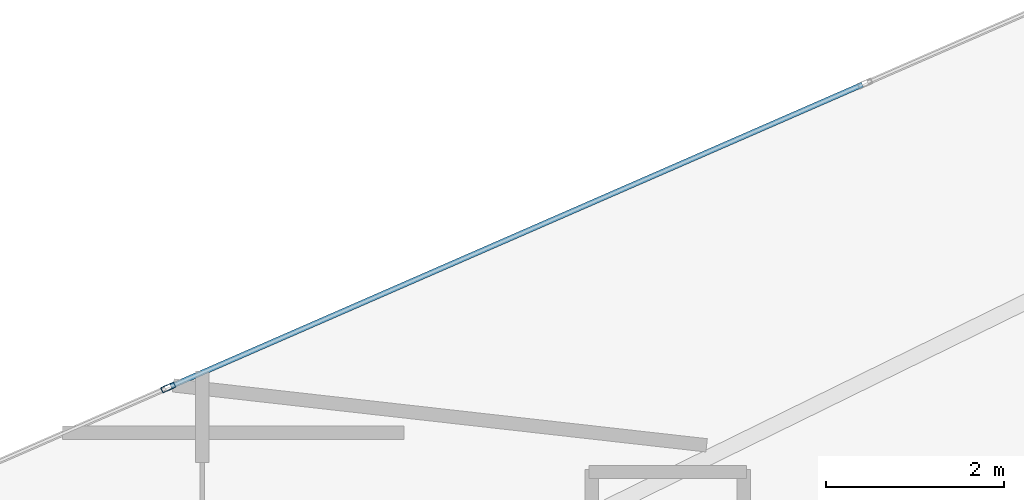
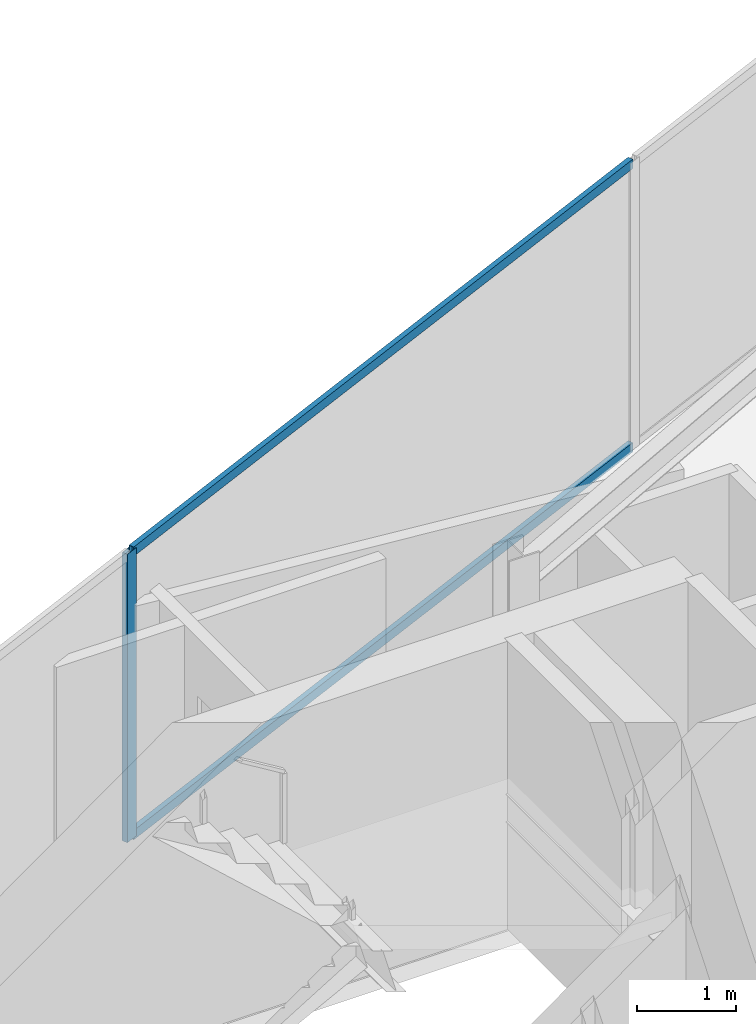
# One storey, part 10 of 15: 3 members, 1 element without a shape of its own.
"""IFC4 building model written with IfcOpenShell, lengths in metres."""

from ifc_helpers import new_model, si_unit, direction, frame, origin, origin_2d, place, context, subcontext, project, spatial, hollow_rectangle, extrude, material, layer, layer_set, material_profile, profile_set, type_object, element, aggregate, save


model = new_model("IFC4")

# Units and contexts
model_context = context("Model", 3, precision=1e-05, world=origin(), true_north=direction((0.0, 1.0)))
body_context = subcontext(model_context, "Body", "Model", "MODEL_VIEW")
ifc_project = project(units=[si_unit("LENGTHUNIT", "METRE"), si_unit("AREAUNIT", "SQUARE_METRE"), si_unit("VOLUMEUNIT", "CUBIC_METRE"), si_unit("PLANEANGLEUNIT", "RADIAN"), si_unit("MASSUNIT", "GRAM", prefix="KILO")], contexts=[model_context])

# Site, building, storey
site_placement = place(None, origin())
site = spatial("IfcSite", under=ifc_project, at=site_placement, CompositionType="ELEMENT")
building_placement = place(site_placement, origin())
building = spatial("IfcBuilding", under=site, at=building_placement, Name="Qianvela Tower", CompositionType="ELEMENT")
storey_placement = place(building_placement, frame((0.0, 0.0, 360.050048828125)))
storey = spatial("IfcBuildingStorey", under=building, at=storey_placement, Name="L93", CompositionType="ELEMENT", Elevation=360.050048828125)

# Curtain wall, members
ifc_material_1 = material(Name="Anodised Architectural Aluminium and Low-E Glass", Category="aluminium")
ifc_layer = layer(ifc_material_1, 0.159912109375)
ifc_layer_set = layer_set([ifc_layer], Name="Anodised Architectural Aluminium and Low-E Glass")
curtain_wall_type = type_object("IfcCurtainWallType", Name="CW-CROWN", PredefinedType="USERDEFINED", material=ifc_layer_set)
curtain_wall_placement = place(storey_placement, origin())
curtain_wall = element("IfcCurtainWall", 1, at=curtain_wall_placement, inside=storey, type_object=curtain_wall_type, Name="L93 CW-CROWN Curtain Wall 02", ObjectType="CURTAIN_WALL_SYSTEM", PredefinedType="USERDEFINED")
ifc_material_2 = material(Name="Anodised Architectural Aluminium 6063-T6", Category="aluminium")
ifc_material_profile_1 = material_profile(ifc_material_2, hollow_rectangle(XDim=0.06494140625, YDim=0.159912109375, WallThickness=0.0048828125, at=origin_2d()), Name="ALU-MULL-65x160")
ifc_profile_set_1 = profile_set([ifc_material_profile_1], Name="Anodised Architectural Aluminium 6063-T6")
member_type_1 = type_object("IfcMemberType", Name="CW-CROWN-MULL", PredefinedType="MULLION", material=ifc_profile_set_1)
member_1_placement = place(storey_placement, frame((35.150146484375, 35.71923828125, 0.0), z_axis=(0.0, 0.0, 1.0), x_axis=(0.399914599103, -0.916552406262, 0.0)))
member_1 = element("IfcMember", 2, at=member_1_placement, type_object=member_type_1, Name="CW-8 mullion 3", PredefinedType="MULLION", context=body_context, shape_type="SweptSolid", body=[
    extrude(hollow_rectangle(XDim=0.06494140625, YDim=0.159912109375, WallThickness=0.0048828125, at=origin_2d()), origin(), (0.0, 0.0, 1.0), 3.550048828125),
])
ifc_material_3 = material(Name="Anodised Architectural Aluminium 6063-T6", Category="aluminium")
ifc_material_profile_2 = material_profile(ifc_material_3, hollow_rectangle(XDim=0.06005859375, YDim=0.114990234375, WallThickness=0.00390625, at=origin_2d()), Name="ALU-TRAN-60x115")
ifc_profile_set_2 = profile_set([ifc_material_profile_2], Name="Anodised Architectural Aluminium 6063-T6")
member_type_2 = type_object("IfcMemberType", Name="CW-CROWN-TRAN", PredefinedType="USERDEFINED", material=ifc_profile_set_2)
member_2_placement = place(storey_placement, frame((42.95068359375, 39.122802734375, 0.030029296875), z_axis=(-0.916550125586, -0.399919826075, 0.0), x_axis=(0.399919826075, -0.916550125586, 0.0)))
member_2 = element("IfcMember", 3, at=member_2_placement, type_object=member_type_2, Name="CW-8 transom 2.1", ObjectType="TRANSOM", PredefinedType="USERDEFINED", context=body_context, shape_type="SweptSolid", body=[
    extrude(hollow_rectangle(XDim=0.06005859375, YDim=0.114990234375, WallThickness=0.00390625, at=origin_2d()), origin(), (0.0, 0.0, 1.0), 8.478271484375),
])
member_3_placement = place(storey_placement, frame((42.95068359375, 39.122802734375, 3.52001953125), z_axis=(-0.916550125586, -0.399919826075, 0.0), x_axis=(0.399919826075, -0.916550125586, 0.0)))
member_3 = element("IfcMember", 4, at=member_3_placement, type_object=member_type_2, Name="CW-8 transom 2.2", ObjectType="TRANSOM", PredefinedType="USERDEFINED", context=body_context, shape_type="SweptSolid", body=[
    extrude(hollow_rectangle(XDim=0.06005859375, YDim=0.114990234375, WallThickness=0.00390625, at=origin_2d()), origin(), (0.0, 0.0, 1.0), 8.478271484375),
])
aggregate(curtain_wall, [member_1, member_2, member_3])

save(model, "model.ifc")
